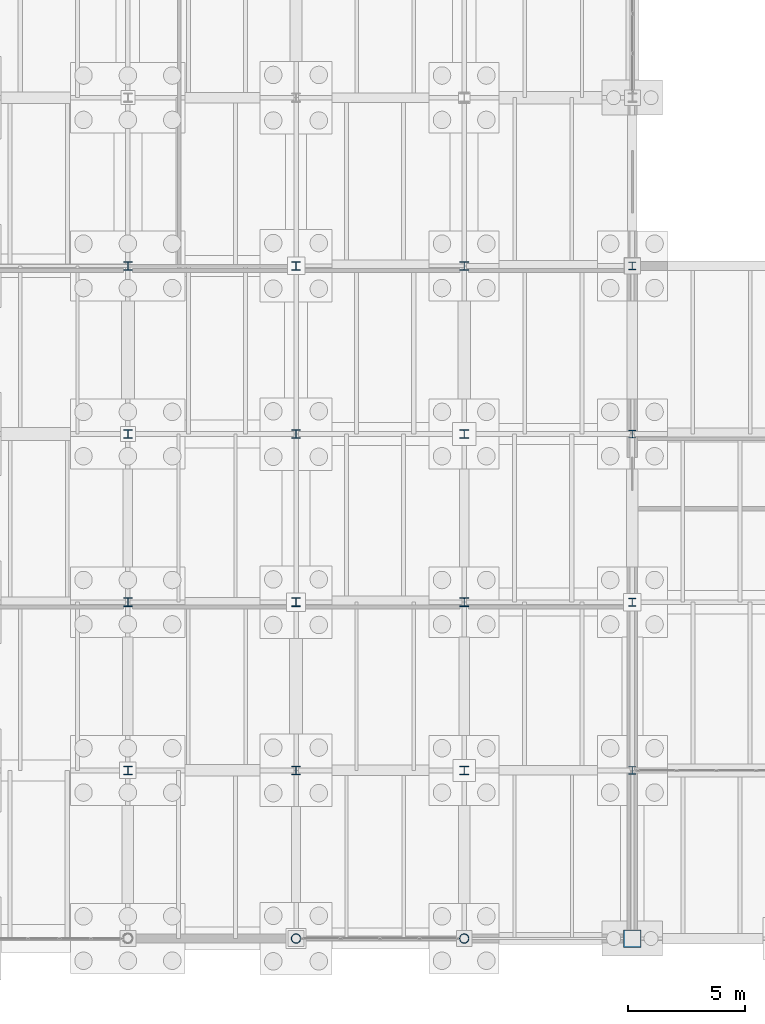
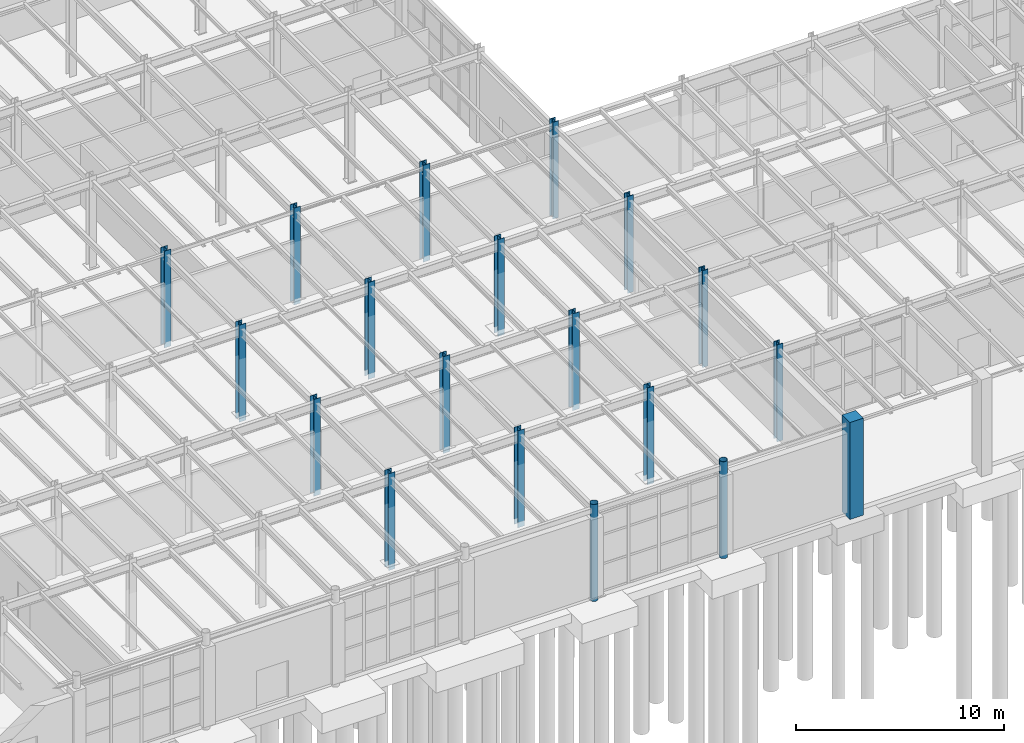
# One storey, part 16 of 293: 19 columns.
"""IFC4 building model written with IfcOpenShell, lengths in metres."""

from ifc_helpers import new_model, si_unit, direction, frame, origin, origin_2d, place, context, subcontext, project, spatial, rectangle, hollow_circle, i_section, extrude, material, material_profile, profile_set, type_object, element, save


model = new_model("IFC4")

# Units and contexts
model_context = context("Model", 3, precision=1e-05, world=origin(), true_north=direction((0.0, 1.0)))
body_context = subcontext(model_context, "Body", "Model", "MODEL_VIEW")
ifc_project = project(units=[si_unit("LENGTHUNIT", "METRE"), si_unit("AREAUNIT", "SQUARE_METRE"), si_unit("VOLUMEUNIT", "CUBIC_METRE"), si_unit("PLANEANGLEUNIT", "RADIAN"), si_unit("MASSUNIT", "GRAM", prefix="KILO")], contexts=[model_context])

# Site, building, storey
site_placement = place(None, origin())
site = spatial("IfcSite", under=ifc_project, at=site_placement, CompositionType="ELEMENT")
building_placement = place(site_placement, origin())
building = spatial("IfcBuilding", under=site, at=building_placement, Name="Kemerveld Promenade Tramway Depot", CompositionType="ELEMENT")
storey_placement = place(building_placement, origin())
storey = spatial("IfcBuildingStorey", under=building, at=storey_placement, Name="L00", CompositionType="ELEMENT", Elevation=0.0)

# Columns
ifc_material_1 = material(Name="Concrete C40/50", Category="concrete")
ifc_material_profile_1 = material_profile(ifc_material_1, rectangle(XDim=0.75, YDim=0.75, at=origin_2d()), Name="RC-COL-750x750")
ifc_profile_set_1 = profile_set([ifc_material_profile_1], Name="Concrete C40/50")
column_type_1 = type_object("IfcColumnType", Name="COL-RC2", PredefinedType="COLUMN", material=ifc_profile_set_1)
column_placement = place(storey_placement, frame((57.60009765625, 0.0, -0.300048828125), z_axis=(0.0, 0.0, 1.0), x_axis=(1.0, 0.0, 0.0)))
element("IfcColumn", 1, at=column_placement, inside=storey, type_object=column_type_1, Name="COL-L00-09-A", PredefinedType="COLUMN", context=body_context, shape_type="SweptSolid", body=[
    extrude(rectangle(XDim=0.75, YDim=0.75, at=origin_2d()), origin(), (0.0, 0.0, 1.0), 5.699951171875),
])
ifc_material_2 = material(Name="Steel S355", Category="steel")
ifc_material_profile_2 = material_profile(ifc_material_2, i_section(OverallWidth=0.37255859375, OverallDepth=0.3681640625, WebThickness=0.014404296875, FlangeThickness=0.023681640625, FilletRadius=0.01513671875, at=origin_2d()), Name="356x368x177 UC")
ifc_profile_set_2 = profile_set([ifc_material_profile_2], Name="Steel S355")
column_type_2 = type_object("IfcColumnType", Name="COL-S03", PredefinedType="COLUMN", material=ifc_profile_set_2)
for number, where, z_axis, x_axis, name in (
    (2, (36.0, 7.199951171875, -0.300048828125), (0.0, 0.0, 1.0), (1.0, 0.0, 0.0), "COL-L00-06-B"),
    (3, (36.0, 14.39990234375, -0.300048828125), (0.0, 0.0, 1.0), (1.0, 0.0, 0.0), "COL-L00-06-C"),
    (4, (36.0, 21.60009765625, -0.300048828125), (0.0, 0.0, 1.0), (1.0, 0.0, 0.0), "COL-L00-06-D"),
    (5, (36.0, 28.800048828125, -0.300048828125), (0.0, 0.0, 1.0), (1.0, 0.0, 0.0), "COL-L00-06-E"),
    (6, (43.199951171875, 7.199951171875, -0.300048828125), (0.0, 0.0, 1.0), (1.0, 0.0, 0.0), "COL-L00-07-B"),
    (7, (43.199951171875, 14.39990234375, -0.300048828125), (0.0, 0.0, 1.0), (1.0, 0.0, 0.0), "COL-L00-07-C"),
    (8, (43.199951171875, 21.60009765625, -0.300048828125), (0.0, 0.0, 1.0), (1.0, 0.0, 0.0), "COL-L00-07-D"),
    (9, (43.199951171875, 28.800048828125, -0.300048828125), (0.0, 0.0, 1.0), (1.0, 0.0, 0.0), "COL-L00-07-E"),
    (10, (50.39990234375, 7.199951171875, -0.300048828125), (0.0, 0.0, 1.0), (1.0, 0.0, 0.0), "COL-L00-08-B"),
    (11, (50.39990234375, 14.39990234375, -0.300048828125), (0.0, 0.0, 1.0), (1.0, 0.0, 0.0), "COL-L00-08-C"),
    (12, (50.39990234375, 21.60009765625, -0.300048828125), (0.0, 0.0, 1.0), (1.0, 0.0, 0.0), "COL-L00-08-D"),
    (13, (50.39990234375, 28.800048828125, -0.300048828125), (0.0, 0.0, 1.0), (1.0, 0.0, 0.0), "COL-L00-08-E"),
):
    element("IfcColumn", number, at=place(storey_placement, frame(where, z_axis=z_axis, x_axis=x_axis)), inside=storey, type_object=column_type_2, Name=name, PredefinedType="COLUMN", context=body_context, shape_type="SweptSolid", body=[
        extrude(i_section(OverallWidth=0.37255859375, OverallDepth=0.3681640625, WebThickness=0.014404296875, FlangeThickness=0.023681640625, FilletRadius=0.01513671875, at=origin_2d()), origin(), (0.0, 0.0, 1.0), 5.699951171875),
    ])
ifc_material_profile_3 = material_profile(ifc_material_2, i_section(OverallWidth=0.318359375, OverallDepth=0.3525390625, WebThickness=0.02294921875, FlangeThickness=0.03759765625, FilletRadius=0.01513671875, at=origin_2d()), Name="305x305x240 UC")
ifc_profile_set_3 = profile_set([ifc_material_profile_3], Name="Steel S355")
column_type_3 = type_object("IfcColumnType", Name="COL-S04", PredefinedType="COLUMN", material=ifc_profile_set_3)
for number, where, z_axis, x_axis, name in (
    (14, (57.60009765625, 7.199951171875, -0.300048828125), (0.0, 0.0, 1.0), (1.0, 0.0, 0.0), "COL-L00-09-B"),
    (15, (57.60009765625, 14.39990234375, -0.300048828125), (0.0, 0.0, 1.0), (1.0, 0.0, 0.0), "COL-L00-09-C"),
    (16, (57.60009765625, 21.60009765625, -0.300048828125), (0.0, 0.0, 1.0), (1.0, 0.0, 0.0), "COL-L00-09-D"),
    (17, (57.60009765625, 28.800048828125, -0.300048828125), (0.0, 0.0, 1.0), (1.0, 0.0, 0.0), "COL-L00-09-E"),
):
    element("IfcColumn", number, at=place(storey_placement, frame(where, z_axis=z_axis, x_axis=x_axis)), inside=storey, type_object=column_type_3, Name=name, PredefinedType="COLUMN", context=body_context, shape_type="SweptSolid", body=[
        extrude(i_section(OverallWidth=0.318359375, OverallDepth=0.3525390625, WebThickness=0.02294921875, FlangeThickness=0.03759765625, FilletRadius=0.01513671875, at=origin_2d()), origin(), (0.0, 0.0, 1.0), 5.699951171875),
    ])
ifc_material_profile_4 = material_profile(ifc_material_2, hollow_circle(Radius=0.203125, WallThickness=0.01611328125, at=origin_2d()), Name="406.4x16.0 CHS")
ifc_profile_set_4 = profile_set([ifc_material_profile_4], Name="Steel S355")
column_type_4 = type_object("IfcColumnType", Name="COL-S11", PredefinedType="COLUMN", material=ifc_profile_set_4)
for number, where, z_axis, x_axis, name in (
    (18, (43.199951171875, 0.0, -0.300048828125), (0.0, 0.0, 1.0), (1.0, 0.0, 0.0), "COL-L00-07-A"),
    (19, (50.39990234375, 0.0, -0.300048828125), (0.0, 0.0, 1.0), (1.0, 0.0, 0.0), "COL-L00-08-A"),
):
    element("IfcColumn", number, at=place(storey_placement, frame(where, z_axis=z_axis, x_axis=x_axis)), inside=storey, type_object=column_type_4, Name=name, PredefinedType="COLUMN", context=body_context, shape_type="SweptSolid", body=[
        extrude(hollow_circle(Radius=0.203125, WallThickness=0.01611328125, at=origin_2d()), origin(), (0.0, 0.0, 1.0), 5.699951171875),
    ])

save(model, "model.ifc")
